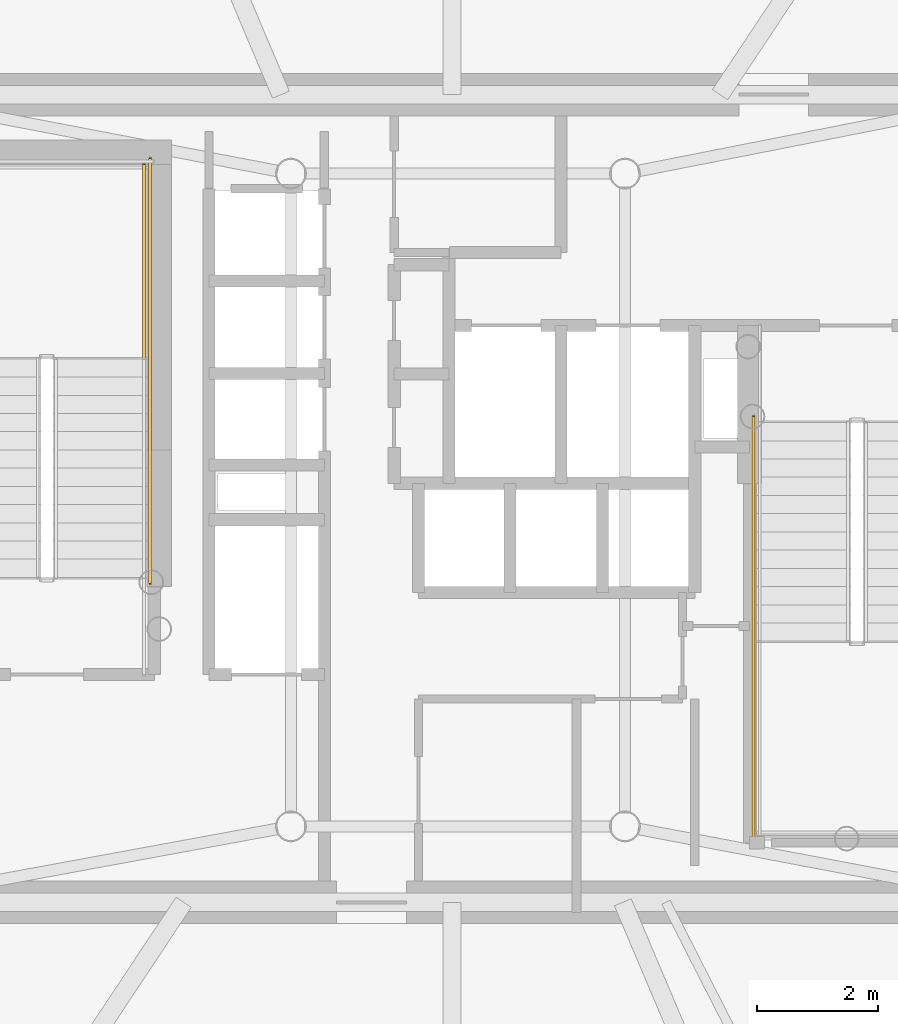
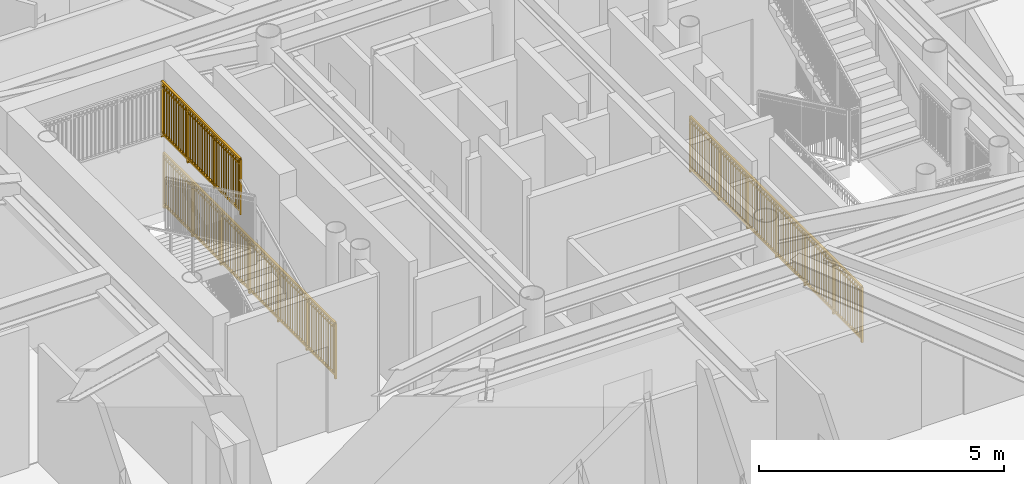
# One storey, part 16 of 20: 3 railings.
"""IFC4 building model written with IfcOpenShell, lengths in metres."""

from ifc_helpers import new_model, si_unit, direction, frame, origin, origin_2d, place, context, subcontext, project, spatial, rectangle, extrude, source, transform, mapped, material, type_object, element, save


model = new_model("IFC4")

# Units and contexts
model_context = context("Model", 3, precision=1e-05, world=origin(), true_north=direction((0.0, 1.0)))
body_context = subcontext(model_context, "Body", "Model", "MODEL_VIEW")
ifc_project = project(units=[si_unit("LENGTHUNIT", "METRE"), si_unit("AREAUNIT", "SQUARE_METRE"), si_unit("VOLUMEUNIT", "CUBIC_METRE"), si_unit("PLANEANGLEUNIT", "RADIAN"), si_unit("MASSUNIT", "GRAM", prefix="KILO")], contexts=[model_context])

# Site, building, storey
site_placement = place(None, origin())
site = spatial("IfcSite", under=ifc_project, at=site_placement, CompositionType="ELEMENT")
building_placement = place(site_placement, origin())
building = spatial("IfcBuilding", under=site, at=building_placement, Name="Linh Dai School and Residence Tower", CompositionType="ELEMENT")
storey_placement = place(building_placement, frame((0.0, 0.0, 221.550048828125)))
storey = spatial("IfcBuildingStorey", under=building, at=storey_placement, Name="L54", CompositionType="ELEMENT", Elevation=221.550048828125)

# Railings
ifc_material = material(Name="Structural Steel S355JR", Category="steel")
railing_type = type_object("IfcRailingType", Name="RL-ST-GUARD-1400", PredefinedType="GUARDRAIL", material=ifc_material)
shared_shape_1 = source(origin(), body_context, "Body", "SweptSolid", [
    extrude(rectangle(XDim=0.048095703125, YDim=0.048095703125, at=origin_2d()), frame((0.0, 0.0, 1.3759765625), z_axis=(0.0, 1.0, 0.0), x_axis=(-1.0, 0.0, 0.0)), (0.0, 0.0, 1.0), 7.0),
    extrude(rectangle(XDim=0.048095703125, YDim=0.048095703125, at=origin_2d()), frame((0.0, 0.0, 0.10009765625), z_axis=(0.0, 1.0, 0.0), x_axis=(-1.0, 0.0, 0.0)), (0.0, 0.0, 1.0), 7.0),
    extrude(rectangle(XDim=0.030029296875, YDim=0.030029296875, at=origin_2d()), frame((0.0, 0.0, 1.239990234375), z_axis=(0.0, 1.0, 0.0), x_axis=(-1.0, 0.0, 0.0)), (0.0, 0.0, 1.0), 7.0),
    extrude(rectangle(XDim=0.02001953125, YDim=0.02001953125, at=origin_2d()), frame((0.0, 0.09716796875, 0.10009765625)), (0.0, 0.0, 1.0), 1.251708984375),
    extrude(rectangle(XDim=0.02001953125, YDim=0.02001953125, at=origin_2d()), frame((0.0, 0.1943359375, 0.10009765625)), (0.0, 0.0, 1.0), 1.251708984375),
    extrude(rectangle(XDim=0.02001953125, YDim=0.02001953125, at=origin_2d()), frame((0.0, 0.291748046875, 0.10009765625)), (0.0, 0.0, 1.0), 1.251708984375),
    extrude(rectangle(XDim=0.02001953125, YDim=0.02001953125, at=origin_2d()), frame((0.0, 0.388916015625, 0.10009765625)), (0.0, 0.0, 1.0), 1.251708984375),
    extrude(rectangle(XDim=0.02001953125, YDim=0.02001953125, at=origin_2d()), frame((0.0, 0.486083984375, 0.10009765625)), (0.0, 0.0, 1.0), 1.251708984375),
    extrude(rectangle(XDim=0.02001953125, YDim=0.02001953125, at=origin_2d()), frame((0.0, 0.583251953125, 0.10009765625)), (0.0, 0.0, 1.0), 1.251708984375),
    extrude(rectangle(XDim=0.02001953125, YDim=0.02001953125, at=origin_2d()), frame((0.0, 0.6806640625, 0.10009765625)), (0.0, 0.0, 1.0), 1.251708984375),
    extrude(rectangle(XDim=0.02001953125, YDim=0.02001953125, at=origin_2d()), frame((0.0, 0.77783203125, 0.10009765625)), (0.0, 0.0, 1.0), 1.251708984375),
    extrude(rectangle(XDim=0.02001953125, YDim=0.02001953125, at=origin_2d()), frame((0.0, 0.875, 0.10009765625)), (0.0, 0.0, 1.0), 1.251708984375),
    extrude(rectangle(XDim=0.02001953125, YDim=0.02001953125, at=origin_2d()), frame((0.0, 0.97216796875, 0.10009765625)), (0.0, 0.0, 1.0), 1.251708984375),
    extrude(rectangle(XDim=0.02001953125, YDim=0.02001953125, at=origin_2d()), frame((0.0, 1.0693359375, 0.10009765625)), (0.0, 0.0, 1.0), 1.251708984375),
    extrude(rectangle(XDim=0.02001953125, YDim=0.02001953125, at=origin_2d()), frame((0.0, 1.263916015625, 0.10009765625)), (0.0, 0.0, 1.0), 1.251708984375),
    extrude(rectangle(XDim=0.02001953125, YDim=0.02001953125, at=origin_2d()), frame((0.0, 1.361083984375, 0.10009765625)), (0.0, 0.0, 1.0), 1.251708984375),
    extrude(rectangle(XDim=0.02001953125, YDim=0.02001953125, at=origin_2d()), frame((0.0, 1.458251953125, 0.10009765625)), (0.0, 0.0, 1.0), 1.251708984375),
    extrude(rectangle(XDim=0.02001953125, YDim=0.02001953125, at=origin_2d()), frame((0.0, 1.5556640625, 0.10009765625)), (0.0, 0.0, 1.0), 1.251708984375),
    extrude(rectangle(XDim=0.02001953125, YDim=0.02001953125, at=origin_2d()), frame((0.0, 1.65283203125, 0.10009765625)), (0.0, 0.0, 1.0), 1.251708984375),
    extrude(rectangle(XDim=0.02001953125, YDim=0.02001953125, at=origin_2d()), frame((0.0, 1.75, 0.10009765625)), (0.0, 0.0, 1.0), 1.251708984375),
    extrude(rectangle(XDim=0.02001953125, YDim=0.02001953125, at=origin_2d()), frame((0.0, 1.84716796875, 0.10009765625)), (0.0, 0.0, 1.0), 1.251708984375),
    extrude(rectangle(XDim=0.02001953125, YDim=0.02001953125, at=origin_2d()), frame((0.0, 1.9443359375, 0.10009765625)), (0.0, 0.0, 1.0), 1.251708984375),
    extrude(rectangle(XDim=0.02001953125, YDim=0.02001953125, at=origin_2d()), frame((0.0, 2.041748046875, 0.10009765625)), (0.0, 0.0, 1.0), 1.251708984375),
    extrude(rectangle(XDim=0.02001953125, YDim=0.02001953125, at=origin_2d()), frame((0.0, 2.138916015625, 0.10009765625)), (0.0, 0.0, 1.0), 1.251708984375),
    extrude(rectangle(XDim=0.02001953125, YDim=0.02001953125, at=origin_2d()), frame((0.0, 2.236083984375, 0.10009765625)), (0.0, 0.0, 1.0), 1.251708984375),
    extrude(rectangle(XDim=0.02001953125, YDim=0.02001953125, at=origin_2d()), frame((0.0, 2.4306640625, 0.10009765625)), (0.0, 0.0, 1.0), 1.251708984375),
    extrude(rectangle(XDim=0.02001953125, YDim=0.02001953125, at=origin_2d()), frame((0.0, 2.52783203125, 0.10009765625)), (0.0, 0.0, 1.0), 1.251708984375),
    extrude(rectangle(XDim=0.02001953125, YDim=0.02001953125, at=origin_2d()), frame((0.0, 2.625, 0.10009765625)), (0.0, 0.0, 1.0), 1.251708984375),
    extrude(rectangle(XDim=0.02001953125, YDim=0.02001953125, at=origin_2d()), frame((0.0, 2.72216796875, 0.10009765625)), (0.0, 0.0, 1.0), 1.251708984375),
    extrude(rectangle(XDim=0.02001953125, YDim=0.02001953125, at=origin_2d()), frame((0.0, 2.8193359375, 0.10009765625)), (0.0, 0.0, 1.0), 1.251708984375),
    extrude(rectangle(XDim=0.02001953125, YDim=0.02001953125, at=origin_2d()), frame((0.0, 2.916748046875, 0.10009765625)), (0.0, 0.0, 1.0), 1.251708984375),
    extrude(rectangle(XDim=0.02001953125, YDim=0.02001953125, at=origin_2d()), frame((0.0, 3.013916015625, 0.10009765625)), (0.0, 0.0, 1.0), 1.251708984375),
    extrude(rectangle(XDim=0.02001953125, YDim=0.02001953125, at=origin_2d()), frame((0.0, 3.111083984375, 0.10009765625)), (0.0, 0.0, 1.0), 1.251708984375),
    extrude(rectangle(XDim=0.02001953125, YDim=0.02001953125, at=origin_2d()), frame((0.0, 3.208251953125, 0.10009765625)), (0.0, 0.0, 1.0), 1.251708984375),
    extrude(rectangle(XDim=0.02001953125, YDim=0.02001953125, at=origin_2d()), frame((0.0, 3.3056640625, 0.10009765625)), (0.0, 0.0, 1.0), 1.251708984375),
    extrude(rectangle(XDim=0.02001953125, YDim=0.02001953125, at=origin_2d()), frame((0.0, 3.40283203125, 0.10009765625)), (0.0, 0.0, 1.0), 1.251708984375),
    extrude(rectangle(XDim=0.02001953125, YDim=0.02001953125, at=origin_2d()), frame((0.0, 3.59716796875, 0.10009765625)), (0.0, 0.0, 1.0), 1.251708984375),
    extrude(rectangle(XDim=0.02001953125, YDim=0.02001953125, at=origin_2d()), frame((0.0, 3.6943359375, 0.10009765625)), (0.0, 0.0, 1.0), 1.251708984375),
    extrude(rectangle(XDim=0.02001953125, YDim=0.02001953125, at=origin_2d()), frame((0.0, 3.791748046875, 0.10009765625)), (0.0, 0.0, 1.0), 1.251708984375),
    extrude(rectangle(XDim=0.02001953125, YDim=0.02001953125, at=origin_2d()), frame((0.0, 3.888916015625, 0.10009765625)), (0.0, 0.0, 1.0), 1.251708984375),
    extrude(rectangle(XDim=0.02001953125, YDim=0.02001953125, at=origin_2d()), frame((0.0, 3.986083984375, 0.10009765625)), (0.0, 0.0, 1.0), 1.251708984375),
    extrude(rectangle(XDim=0.02001953125, YDim=0.02001953125, at=origin_2d()), frame((0.0, 4.083251953125, 0.10009765625)), (0.0, 0.0, 1.0), 1.251708984375),
    extrude(rectangle(XDim=0.02001953125, YDim=0.02001953125, at=origin_2d()), frame((0.0, 4.1806640625, 0.10009765625)), (0.0, 0.0, 1.0), 1.251708984375),
    extrude(rectangle(XDim=0.02001953125, YDim=0.02001953125, at=origin_2d()), frame((0.0, 4.27783203125, 0.10009765625)), (0.0, 0.0, 1.0), 1.251708984375),
    extrude(rectangle(XDim=0.02001953125, YDim=0.02001953125, at=origin_2d()), frame((0.0, 4.375, 0.10009765625)), (0.0, 0.0, 1.0), 1.251708984375),
    extrude(rectangle(XDim=0.02001953125, YDim=0.02001953125, at=origin_2d()), frame((0.0, 4.47216796875, 0.10009765625)), (0.0, 0.0, 1.0), 1.251708984375),
    extrude(rectangle(XDim=0.02001953125, YDim=0.02001953125, at=origin_2d()), frame((0.0, 4.5693359375, 0.10009765625)), (0.0, 0.0, 1.0), 1.251708984375),
    extrude(rectangle(XDim=0.02001953125, YDim=0.02001953125, at=origin_2d()), frame((0.0, 4.763916015625, 0.10009765625)), (0.0, 0.0, 1.0), 1.251708984375),
    extrude(rectangle(XDim=0.02001953125, YDim=0.02001953125, at=origin_2d()), frame((0.0, 4.861083984375, 0.10009765625)), (0.0, 0.0, 1.0), 1.251708984375),
    extrude(rectangle(XDim=0.02001953125, YDim=0.02001953125, at=origin_2d()), frame((0.0, 4.958251953125, 0.10009765625)), (0.0, 0.0, 1.0), 1.251708984375),
    extrude(rectangle(XDim=0.02001953125, YDim=0.02001953125, at=origin_2d()), frame((0.0, 5.0556640625, 0.10009765625)), (0.0, 0.0, 1.0), 1.251708984375),
    extrude(rectangle(XDim=0.02001953125, YDim=0.02001953125, at=origin_2d()), frame((0.0, 5.15283203125, 0.10009765625)), (0.0, 0.0, 1.0), 1.251708984375),
    extrude(rectangle(XDim=0.02001953125, YDim=0.02001953125, at=origin_2d()), frame((0.0, 5.25, 0.10009765625)), (0.0, 0.0, 1.0), 1.251708984375),
    extrude(rectangle(XDim=0.02001953125, YDim=0.02001953125, at=origin_2d()), frame((0.0, 5.34716796875, 0.10009765625)), (0.0, 0.0, 1.0), 1.251708984375),
    extrude(rectangle(XDim=0.02001953125, YDim=0.02001953125, at=origin_2d()), frame((0.0, 5.4443359375, 0.10009765625)), (0.0, 0.0, 1.0), 1.251708984375),
    extrude(rectangle(XDim=0.02001953125, YDim=0.02001953125, at=origin_2d()), frame((0.0, 5.541748046875, 0.10009765625)), (0.0, 0.0, 1.0), 1.251708984375),
    extrude(rectangle(XDim=0.02001953125, YDim=0.02001953125, at=origin_2d()), frame((0.0, 5.638916015625, 0.10009765625)), (0.0, 0.0, 1.0), 1.251708984375),
    extrude(rectangle(XDim=0.02001953125, YDim=0.02001953125, at=origin_2d()), frame((0.0, 5.736083984375, 0.10009765625)), (0.0, 0.0, 1.0), 1.251708984375),
    extrude(rectangle(XDim=0.02001953125, YDim=0.02001953125, at=origin_2d()), frame((0.0, 5.9306640625, 0.10009765625)), (0.0, 0.0, 1.0), 1.251708984375),
    extrude(rectangle(XDim=0.02001953125, YDim=0.02001953125, at=origin_2d()), frame((0.0, 6.02783203125, 0.10009765625)), (0.0, 0.0, 1.0), 1.251708984375),
    extrude(rectangle(XDim=0.02001953125, YDim=0.02001953125, at=origin_2d()), frame((0.0, 6.125, 0.10009765625)), (0.0, 0.0, 1.0), 1.251708984375),
    extrude(rectangle(XDim=0.02001953125, YDim=0.02001953125, at=origin_2d()), frame((0.0, 6.22216796875, 0.10009765625)), (0.0, 0.0, 1.0), 1.251708984375),
    extrude(rectangle(XDim=0.02001953125, YDim=0.02001953125, at=origin_2d()), frame((0.0, 6.3193359375, 0.10009765625)), (0.0, 0.0, 1.0), 1.251708984375),
    extrude(rectangle(XDim=0.02001953125, YDim=0.02001953125, at=origin_2d()), frame((0.0, 6.416748046875, 0.10009765625)), (0.0, 0.0, 1.0), 1.251708984375),
    extrude(rectangle(XDim=0.02001953125, YDim=0.02001953125, at=origin_2d()), frame((0.0, 6.513916015625, 0.10009765625)), (0.0, 0.0, 1.0), 1.251708984375),
    extrude(rectangle(XDim=0.02001953125, YDim=0.02001953125, at=origin_2d()), frame((0.0, 6.611083984375, 0.10009765625)), (0.0, 0.0, 1.0), 1.251708984375),
    extrude(rectangle(XDim=0.02001953125, YDim=0.02001953125, at=origin_2d()), frame((0.0, 6.708251953125, 0.10009765625)), (0.0, 0.0, 1.0), 1.251708984375),
    extrude(rectangle(XDim=0.02001953125, YDim=0.02001953125, at=origin_2d()), frame((0.0, 6.8056640625, 0.10009765625)), (0.0, 0.0, 1.0), 1.251708984375),
    extrude(rectangle(XDim=0.02001953125, YDim=0.02001953125, at=origin_2d()), frame((0.0, 6.90283203125, 0.10009765625)), (0.0, 0.0, 1.0), 1.251708984375),
    extrude(rectangle(XDim=0.0419921875, YDim=0.0419921875, at=origin_2d()), origin(), (0.0, 0.0, 1.0), 1.3759765625),
    extrude(rectangle(XDim=0.0419921875, YDim=0.0419921875, at=origin_2d()), frame((0.0, 1.166748046875, 0.0)), (0.0, 0.0, 1.0), 1.3759765625),
    extrude(rectangle(XDim=0.0419921875, YDim=0.0419921875, at=origin_2d()), frame((0.0, 2.333251953125, 0.0)), (0.0, 0.0, 1.0), 1.3759765625),
    extrude(rectangle(XDim=0.0419921875, YDim=0.0419921875, at=origin_2d()), frame((0.0, 3.5, 0.0)), (0.0, 0.0, 1.0), 1.3759765625),
    extrude(rectangle(XDim=0.0419921875, YDim=0.0419921875, at=origin_2d()), frame((0.0, 4.666748046875, 0.0)), (0.0, 0.0, 1.0), 1.3759765625),
    extrude(rectangle(XDim=0.0419921875, YDim=0.0419921875, at=origin_2d()), frame((0.0, 5.833251953125, 0.0)), (0.0, 0.0, 1.0), 1.3759765625),
    extrude(rectangle(XDim=0.0419921875, YDim=0.0419921875, at=origin_2d()), frame((0.0, 7.0, 0.0)), (0.0, 0.0, 1.0), 1.3759765625),
])
railing_1_placement = place(storey_placement, frame((31.030029296875, 25.60009765625, 0.0)))
element("IfcRailing", 1, at=railing_1_placement, inside=storey, type_object=railing_type, Name="L54 ST1 stair guard 10", PredefinedType="GUARDRAIL", context=body_context, shape_type="MappedRepresentation", body=[
    mapped(shared_shape_1, transform((0.0, 0.0, 0.0), x_axis=(1.0, 0.0, 0.0), y_axis=(0.0, 1.0, 0.0), z_axis=(0.0, 0.0, 1.0), scale=1.0)),
])
shared_shape_2 = source(origin(), body_context, "Body", "SweptSolid", [
    extrude(rectangle(XDim=0.048095703125, YDim=0.048095703125, at=origin_2d()), frame((0.0, 0.0, 1.3759765625), z_axis=(0.0, 1.0, 0.0), x_axis=(-1.0, 0.0, 0.0)), (0.0, 0.0, 1.0), 3.199951171875),
    extrude(rectangle(XDim=0.048095703125, YDim=0.048095703125, at=origin_2d()), frame((0.0, 0.0, 0.10009765625), z_axis=(0.0, 1.0, 0.0), x_axis=(-1.0, 0.0, 0.0)), (0.0, 0.0, 1.0), 3.199951171875),
    extrude(rectangle(XDim=0.030029296875, YDim=0.030029296875, at=origin_2d()), frame((0.0, 0.0, 1.239990234375), z_axis=(0.0, 1.0, 0.0), x_axis=(-1.0, 0.0, 0.0)), (0.0, 0.0, 1.0), 3.199951171875),
    extrude(rectangle(XDim=0.02001953125, YDim=0.02001953125, at=origin_2d()), frame((0.0, 0.096923828125, 0.10009765625)), (0.0, 0.0, 1.0), 1.251708984375),
    extrude(rectangle(XDim=0.02001953125, YDim=0.02001953125, at=origin_2d()), frame((0.0, 0.19384765625, 0.10009765625)), (0.0, 0.0, 1.0), 1.251708984375),
    extrude(rectangle(XDim=0.02001953125, YDim=0.02001953125, at=origin_2d()), frame((0.0, 0.291015625, 0.10009765625)), (0.0, 0.0, 1.0), 1.251708984375),
    extrude(rectangle(XDim=0.02001953125, YDim=0.02001953125, at=origin_2d()), frame((0.0, 0.387939453125, 0.10009765625)), (0.0, 0.0, 1.0), 1.251708984375),
    extrude(rectangle(XDim=0.02001953125, YDim=0.02001953125, at=origin_2d()), frame((0.0, 0.48486328125, 0.10009765625)), (0.0, 0.0, 1.0), 1.251708984375),
    extrude(rectangle(XDim=0.02001953125, YDim=0.02001953125, at=origin_2d()), frame((0.0, 0.581787109375, 0.10009765625)), (0.0, 0.0, 1.0), 1.251708984375),
    extrude(rectangle(XDim=0.02001953125, YDim=0.02001953125, at=origin_2d()), frame((0.0, 0.6787109375, 0.10009765625)), (0.0, 0.0, 1.0), 1.251708984375),
    extrude(rectangle(XDim=0.02001953125, YDim=0.02001953125, at=origin_2d()), frame((0.0, 0.775634765625, 0.10009765625)), (0.0, 0.0, 1.0), 1.251708984375),
    extrude(rectangle(XDim=0.02001953125, YDim=0.02001953125, at=origin_2d()), frame((0.0, 0.872802734375, 0.10009765625)), (0.0, 0.0, 1.0), 1.251708984375),
    extrude(rectangle(XDim=0.02001953125, YDim=0.02001953125, at=origin_2d()), frame((0.0, 0.9697265625, 0.10009765625)), (0.0, 0.0, 1.0), 1.251708984375),
    extrude(rectangle(XDim=0.02001953125, YDim=0.02001953125, at=origin_2d()), frame((0.0, 1.16357421875, 0.10009765625)), (0.0, 0.0, 1.0), 1.251708984375),
    extrude(rectangle(XDim=0.02001953125, YDim=0.02001953125, at=origin_2d()), frame((0.0, 1.260498046875, 0.10009765625)), (0.0, 0.0, 1.0), 1.251708984375),
    extrude(rectangle(XDim=0.02001953125, YDim=0.02001953125, at=origin_2d()), frame((0.0, 1.357666015625, 0.10009765625)), (0.0, 0.0, 1.0), 1.251708984375),
    extrude(rectangle(XDim=0.02001953125, YDim=0.02001953125, at=origin_2d()), frame((0.0, 1.45458984375, 0.10009765625)), (0.0, 0.0, 1.0), 1.251708984375),
    extrude(rectangle(XDim=0.02001953125, YDim=0.02001953125, at=origin_2d()), frame((0.0, 1.551513671875, 0.10009765625)), (0.0, 0.0, 1.0), 1.251708984375),
    extrude(rectangle(XDim=0.02001953125, YDim=0.02001953125, at=origin_2d()), frame((0.0, 1.6484375, 0.10009765625)), (0.0, 0.0, 1.0), 1.251708984375),
    extrude(rectangle(XDim=0.02001953125, YDim=0.02001953125, at=origin_2d()), frame((0.0, 1.745361328125, 0.10009765625)), (0.0, 0.0, 1.0), 1.251708984375),
    extrude(rectangle(XDim=0.02001953125, YDim=0.02001953125, at=origin_2d()), frame((0.0, 1.84228515625, 0.10009765625)), (0.0, 0.0, 1.0), 1.251708984375),
    extrude(rectangle(XDim=0.02001953125, YDim=0.02001953125, at=origin_2d()), frame((0.0, 1.939453125, 0.10009765625)), (0.0, 0.0, 1.0), 1.251708984375),
    extrude(rectangle(XDim=0.02001953125, YDim=0.02001953125, at=origin_2d()), frame((0.0, 2.036376953125, 0.10009765625)), (0.0, 0.0, 1.0), 1.251708984375),
    extrude(rectangle(XDim=0.02001953125, YDim=0.02001953125, at=origin_2d()), frame((0.0, 2.230224609375, 0.10009765625)), (0.0, 0.0, 1.0), 1.251708984375),
    extrude(rectangle(XDim=0.02001953125, YDim=0.02001953125, at=origin_2d()), frame((0.0, 2.3271484375, 0.10009765625)), (0.0, 0.0, 1.0), 1.251708984375),
    extrude(rectangle(XDim=0.02001953125, YDim=0.02001953125, at=origin_2d()), frame((0.0, 2.42431640625, 0.10009765625)), (0.0, 0.0, 1.0), 1.251708984375),
    extrude(rectangle(XDim=0.02001953125, YDim=0.02001953125, at=origin_2d()), frame((0.0, 2.521240234375, 0.10009765625)), (0.0, 0.0, 1.0), 1.251708984375),
    extrude(rectangle(XDim=0.02001953125, YDim=0.02001953125, at=origin_2d()), frame((0.0, 2.6181640625, 0.10009765625)), (0.0, 0.0, 1.0), 1.251708984375),
    extrude(rectangle(XDim=0.02001953125, YDim=0.02001953125, at=origin_2d()), frame((0.0, 2.715087890625, 0.10009765625)), (0.0, 0.0, 1.0), 1.251708984375),
    extrude(rectangle(XDim=0.02001953125, YDim=0.02001953125, at=origin_2d()), frame((0.0, 2.81201171875, 0.10009765625)), (0.0, 0.0, 1.0), 1.251708984375),
    extrude(rectangle(XDim=0.02001953125, YDim=0.02001953125, at=origin_2d()), frame((0.0, 2.908935546875, 0.10009765625)), (0.0, 0.0, 1.0), 1.251708984375),
    extrude(rectangle(XDim=0.02001953125, YDim=0.02001953125, at=origin_2d()), frame((0.0, 3.006103515625, 0.10009765625)), (0.0, 0.0, 1.0), 1.251708984375),
    extrude(rectangle(XDim=0.02001953125, YDim=0.02001953125, at=origin_2d()), frame((0.0, 3.10302734375, 0.10009765625)), (0.0, 0.0, 1.0), 1.251708984375),
    extrude(rectangle(XDim=0.0419921875, YDim=0.0419921875, at=origin_2d()), origin(), (0.0, 0.0, 1.0), 1.3759765625),
    extrude(rectangle(XDim=0.0419921875, YDim=0.0419921875, at=origin_2d()), frame((0.0, 1.066650390625, 0.0)), (0.0, 0.0, 1.0), 1.3759765625),
    extrude(rectangle(XDim=0.0419921875, YDim=0.0419921875, at=origin_2d()), frame((0.0, 2.13330078125, 0.0)), (0.0, 0.0, 1.0), 1.3759765625),
    extrude(rectangle(XDim=0.0419921875, YDim=0.0419921875, at=origin_2d()), frame((0.0, 3.199951171875, 0.0)), (0.0, 0.0, 1.0), 1.3759765625),
])
railing_2_placement = place(storey_placement, frame((30.929931640625, 29.300048828125, 1.875)))
element("IfcRailing", 2, at=railing_2_placement, inside=storey, type_object=railing_type, Name="L54 ST1 stair guard 3", PredefinedType="GUARDRAIL", context=body_context, shape_type="MappedRepresentation", body=[
    mapped(shared_shape_2, transform((0.0, 0.0, 0.0), x_axis=(1.0, 0.0, 0.0), y_axis=(0.0, 1.0, 0.0), z_axis=(0.0, 0.0, 1.0), scale=1.0)),
])
shared_shape_3 = source(origin(), body_context, "Body", "SweptSolid", [
    extrude(rectangle(XDim=0.048095703125, YDim=0.048095703125, at=origin_2d()), frame((0.0, 0.0, 1.3759765625), z_axis=(0.0, -1.0, 0.0), x_axis=(1.0, 0.0, 0.0)), (0.0, 0.0, 1.0), 7.0),
    extrude(rectangle(XDim=0.048095703125, YDim=0.048095703125, at=origin_2d()), frame((0.0, 0.0, 0.10009765625), z_axis=(0.0, -1.0, 0.0), x_axis=(1.0, 0.0, 0.0)), (0.0, 0.0, 1.0), 7.0),
    extrude(rectangle(XDim=0.030029296875, YDim=0.030029296875, at=origin_2d()), frame((0.0, 0.0, 1.239990234375), z_axis=(0.0, -1.0, 0.0), x_axis=(1.0, 0.0, 0.0)), (0.0, 0.0, 1.0), 7.0),
    extrude(rectangle(XDim=0.02001953125, YDim=0.02001953125, at=origin_2d()), frame((0.0, -0.09716796875, 0.10009765625)), (0.0, 0.0, 1.0), 1.251708984375),
    extrude(rectangle(XDim=0.02001953125, YDim=0.02001953125, at=origin_2d()), frame((0.0, -0.1943359375, 0.10009765625)), (0.0, 0.0, 1.0), 1.251708984375),
    extrude(rectangle(XDim=0.02001953125, YDim=0.02001953125, at=origin_2d()), frame((0.0, -0.291748046875, 0.10009765625)), (0.0, 0.0, 1.0), 1.251708984375),
    extrude(rectangle(XDim=0.02001953125, YDim=0.02001953125, at=origin_2d()), frame((0.0, -0.388916015625, 0.10009765625)), (0.0, 0.0, 1.0), 1.251708984375),
    extrude(rectangle(XDim=0.02001953125, YDim=0.02001953125, at=origin_2d()), frame((0.0, -0.486083984375, 0.10009765625)), (0.0, 0.0, 1.0), 1.251708984375),
    extrude(rectangle(XDim=0.02001953125, YDim=0.02001953125, at=origin_2d()), frame((0.0, -0.583251953125, 0.10009765625)), (0.0, 0.0, 1.0), 1.251708984375),
    extrude(rectangle(XDim=0.02001953125, YDim=0.02001953125, at=origin_2d()), frame((0.0, -0.6806640625, 0.10009765625)), (0.0, 0.0, 1.0), 1.251708984375),
    extrude(rectangle(XDim=0.02001953125, YDim=0.02001953125, at=origin_2d()), frame((0.0, -0.77783203125, 0.10009765625)), (0.0, 0.0, 1.0), 1.251708984375),
    extrude(rectangle(XDim=0.02001953125, YDim=0.02001953125, at=origin_2d()), frame((0.0, -0.875, 0.10009765625)), (0.0, 0.0, 1.0), 1.251708984375),
    extrude(rectangle(XDim=0.02001953125, YDim=0.02001953125, at=origin_2d()), frame((0.0, -0.97216796875, 0.10009765625)), (0.0, 0.0, 1.0), 1.251708984375),
    extrude(rectangle(XDim=0.02001953125, YDim=0.02001953125, at=origin_2d()), frame((0.0, -1.0693359375, 0.10009765625)), (0.0, 0.0, 1.0), 1.251708984375),
    extrude(rectangle(XDim=0.02001953125, YDim=0.02001953125, at=origin_2d()), frame((0.0, -1.263916015625, 0.10009765625)), (0.0, 0.0, 1.0), 1.251708984375),
    extrude(rectangle(XDim=0.02001953125, YDim=0.02001953125, at=origin_2d()), frame((0.0, -1.361083984375, 0.10009765625)), (0.0, 0.0, 1.0), 1.251708984375),
    extrude(rectangle(XDim=0.02001953125, YDim=0.02001953125, at=origin_2d()), frame((0.0, -1.458251953125, 0.10009765625)), (0.0, 0.0, 1.0), 1.251708984375),
    extrude(rectangle(XDim=0.02001953125, YDim=0.02001953125, at=origin_2d()), frame((0.0, -1.5556640625, 0.10009765625)), (0.0, 0.0, 1.0), 1.251708984375),
    extrude(rectangle(XDim=0.02001953125, YDim=0.02001953125, at=origin_2d()), frame((0.0, -1.65283203125, 0.10009765625)), (0.0, 0.0, 1.0), 1.251708984375),
    extrude(rectangle(XDim=0.02001953125, YDim=0.02001953125, at=origin_2d()), frame((0.0, -1.75, 0.10009765625)), (0.0, 0.0, 1.0), 1.251708984375),
    extrude(rectangle(XDim=0.02001953125, YDim=0.02001953125, at=origin_2d()), frame((0.0, -1.84716796875, 0.10009765625)), (0.0, 0.0, 1.0), 1.251708984375),
    extrude(rectangle(XDim=0.02001953125, YDim=0.02001953125, at=origin_2d()), frame((0.0, -1.9443359375, 0.10009765625)), (0.0, 0.0, 1.0), 1.251708984375),
    extrude(rectangle(XDim=0.02001953125, YDim=0.02001953125, at=origin_2d()), frame((0.0, -2.041748046875, 0.10009765625)), (0.0, 0.0, 1.0), 1.251708984375),
    extrude(rectangle(XDim=0.02001953125, YDim=0.02001953125, at=origin_2d()), frame((0.0, -2.138916015625, 0.10009765625)), (0.0, 0.0, 1.0), 1.251708984375),
    extrude(rectangle(XDim=0.02001953125, YDim=0.02001953125, at=origin_2d()), frame((0.0, -2.236083984375, 0.10009765625)), (0.0, 0.0, 1.0), 1.251708984375),
    extrude(rectangle(XDim=0.02001953125, YDim=0.02001953125, at=origin_2d()), frame((0.0, -2.4306640625, 0.10009765625)), (0.0, 0.0, 1.0), 1.251708984375),
    extrude(rectangle(XDim=0.02001953125, YDim=0.02001953125, at=origin_2d()), frame((0.0, -2.52783203125, 0.10009765625)), (0.0, 0.0, 1.0), 1.251708984375),
    extrude(rectangle(XDim=0.02001953125, YDim=0.02001953125, at=origin_2d()), frame((0.0, -2.625, 0.10009765625)), (0.0, 0.0, 1.0), 1.251708984375),
    extrude(rectangle(XDim=0.02001953125, YDim=0.02001953125, at=origin_2d()), frame((0.0, -2.72216796875, 0.10009765625)), (0.0, 0.0, 1.0), 1.251708984375),
    extrude(rectangle(XDim=0.02001953125, YDim=0.02001953125, at=origin_2d()), frame((0.0, -2.8193359375, 0.10009765625)), (0.0, 0.0, 1.0), 1.251708984375),
    extrude(rectangle(XDim=0.02001953125, YDim=0.02001953125, at=origin_2d()), frame((0.0, -2.916748046875, 0.10009765625)), (0.0, 0.0, 1.0), 1.251708984375),
    extrude(rectangle(XDim=0.02001953125, YDim=0.02001953125, at=origin_2d()), frame((0.0, -3.013916015625, 0.10009765625)), (0.0, 0.0, 1.0), 1.251708984375),
    extrude(rectangle(XDim=0.02001953125, YDim=0.02001953125, at=origin_2d()), frame((0.0, -3.111083984375, 0.10009765625)), (0.0, 0.0, 1.0), 1.251708984375),
    extrude(rectangle(XDim=0.02001953125, YDim=0.02001953125, at=origin_2d()), frame((0.0, -3.208251953125, 0.10009765625)), (0.0, 0.0, 1.0), 1.251708984375),
    extrude(rectangle(XDim=0.02001953125, YDim=0.02001953125, at=origin_2d()), frame((0.0, -3.3056640625, 0.10009765625)), (0.0, 0.0, 1.0), 1.251708984375),
    extrude(rectangle(XDim=0.02001953125, YDim=0.02001953125, at=origin_2d()), frame((0.0, -3.40283203125, 0.10009765625)), (0.0, 0.0, 1.0), 1.251708984375),
    extrude(rectangle(XDim=0.02001953125, YDim=0.02001953125, at=origin_2d()), frame((0.0, -3.59716796875, 0.10009765625)), (0.0, 0.0, 1.0), 1.251708984375),
    extrude(rectangle(XDim=0.02001953125, YDim=0.02001953125, at=origin_2d()), frame((0.0, -3.6943359375, 0.10009765625)), (0.0, 0.0, 1.0), 1.251708984375),
    extrude(rectangle(XDim=0.02001953125, YDim=0.02001953125, at=origin_2d()), frame((0.0, -3.791748046875, 0.10009765625)), (0.0, 0.0, 1.0), 1.251708984375),
    extrude(rectangle(XDim=0.02001953125, YDim=0.02001953125, at=origin_2d()), frame((0.0, -3.888916015625, 0.10009765625)), (0.0, 0.0, 1.0), 1.251708984375),
    extrude(rectangle(XDim=0.02001953125, YDim=0.02001953125, at=origin_2d()), frame((0.0, -3.986083984375, 0.10009765625)), (0.0, 0.0, 1.0), 1.251708984375),
    extrude(rectangle(XDim=0.02001953125, YDim=0.02001953125, at=origin_2d()), frame((0.0, -4.083251953125, 0.10009765625)), (0.0, 0.0, 1.0), 1.251708984375),
    extrude(rectangle(XDim=0.02001953125, YDim=0.02001953125, at=origin_2d()), frame((0.0, -4.1806640625, 0.10009765625)), (0.0, 0.0, 1.0), 1.251708984375),
    extrude(rectangle(XDim=0.02001953125, YDim=0.02001953125, at=origin_2d()), frame((0.0, -4.27783203125, 0.10009765625)), (0.0, 0.0, 1.0), 1.251708984375),
    extrude(rectangle(XDim=0.02001953125, YDim=0.02001953125, at=origin_2d()), frame((0.0, -4.375, 0.10009765625)), (0.0, 0.0, 1.0), 1.251708984375),
    extrude(rectangle(XDim=0.02001953125, YDim=0.02001953125, at=origin_2d()), frame((0.0, -4.47216796875, 0.10009765625)), (0.0, 0.0, 1.0), 1.251708984375),
    extrude(rectangle(XDim=0.02001953125, YDim=0.02001953125, at=origin_2d()), frame((0.0, -4.5693359375, 0.10009765625)), (0.0, 0.0, 1.0), 1.251708984375),
    extrude(rectangle(XDim=0.02001953125, YDim=0.02001953125, at=origin_2d()), frame((0.0, -4.763916015625, 0.10009765625)), (0.0, 0.0, 1.0), 1.251708984375),
    extrude(rectangle(XDim=0.02001953125, YDim=0.02001953125, at=origin_2d()), frame((0.0, -4.861083984375, 0.10009765625)), (0.0, 0.0, 1.0), 1.251708984375),
    extrude(rectangle(XDim=0.02001953125, YDim=0.02001953125, at=origin_2d()), frame((0.0, -4.958251953125, 0.10009765625)), (0.0, 0.0, 1.0), 1.251708984375),
    extrude(rectangle(XDim=0.02001953125, YDim=0.02001953125, at=origin_2d()), frame((0.0, -5.0556640625, 0.10009765625)), (0.0, 0.0, 1.0), 1.251708984375),
    extrude(rectangle(XDim=0.02001953125, YDim=0.02001953125, at=origin_2d()), frame((0.0, -5.15283203125, 0.10009765625)), (0.0, 0.0, 1.0), 1.251708984375),
    extrude(rectangle(XDim=0.02001953125, YDim=0.02001953125, at=origin_2d()), frame((0.0, -5.25, 0.10009765625)), (0.0, 0.0, 1.0), 1.251708984375),
    extrude(rectangle(XDim=0.02001953125, YDim=0.02001953125, at=origin_2d()), frame((0.0, -5.34716796875, 0.10009765625)), (0.0, 0.0, 1.0), 1.251708984375),
    extrude(rectangle(XDim=0.02001953125, YDim=0.02001953125, at=origin_2d()), frame((0.0, -5.4443359375, 0.10009765625)), (0.0, 0.0, 1.0), 1.251708984375),
    extrude(rectangle(XDim=0.02001953125, YDim=0.02001953125, at=origin_2d()), frame((0.0, -5.541748046875, 0.10009765625)), (0.0, 0.0, 1.0), 1.251708984375),
    extrude(rectangle(XDim=0.02001953125, YDim=0.02001953125, at=origin_2d()), frame((0.0, -5.638916015625, 0.10009765625)), (0.0, 0.0, 1.0), 1.251708984375),
    extrude(rectangle(XDim=0.02001953125, YDim=0.02001953125, at=origin_2d()), frame((0.0, -5.736083984375, 0.10009765625)), (0.0, 0.0, 1.0), 1.251708984375),
    extrude(rectangle(XDim=0.02001953125, YDim=0.02001953125, at=origin_2d()), frame((0.0, -5.9306640625, 0.10009765625)), (0.0, 0.0, 1.0), 1.251708984375),
    extrude(rectangle(XDim=0.02001953125, YDim=0.02001953125, at=origin_2d()), frame((0.0, -6.02783203125, 0.10009765625)), (0.0, 0.0, 1.0), 1.251708984375),
    extrude(rectangle(XDim=0.02001953125, YDim=0.02001953125, at=origin_2d()), frame((0.0, -6.125, 0.10009765625)), (0.0, 0.0, 1.0), 1.251708984375),
    extrude(rectangle(XDim=0.02001953125, YDim=0.02001953125, at=origin_2d()), frame((0.0, -6.22216796875, 0.10009765625)), (0.0, 0.0, 1.0), 1.251708984375),
    extrude(rectangle(XDim=0.02001953125, YDim=0.02001953125, at=origin_2d()), frame((0.0, -6.3193359375, 0.10009765625)), (0.0, 0.0, 1.0), 1.251708984375),
    extrude(rectangle(XDim=0.02001953125, YDim=0.02001953125, at=origin_2d()), frame((0.0, -6.416748046875, 0.10009765625)), (0.0, 0.0, 1.0), 1.251708984375),
    extrude(rectangle(XDim=0.02001953125, YDim=0.02001953125, at=origin_2d()), frame((0.0, -6.513916015625, 0.10009765625)), (0.0, 0.0, 1.0), 1.251708984375),
    extrude(rectangle(XDim=0.02001953125, YDim=0.02001953125, at=origin_2d()), frame((0.0, -6.611083984375, 0.10009765625)), (0.0, 0.0, 1.0), 1.251708984375),
    extrude(rectangle(XDim=0.02001953125, YDim=0.02001953125, at=origin_2d()), frame((0.0, -6.708251953125, 0.10009765625)), (0.0, 0.0, 1.0), 1.251708984375),
    extrude(rectangle(XDim=0.02001953125, YDim=0.02001953125, at=origin_2d()), frame((0.0, -6.8056640625, 0.10009765625)), (0.0, 0.0, 1.0), 1.251708984375),
    extrude(rectangle(XDim=0.02001953125, YDim=0.02001953125, at=origin_2d()), frame((0.0, -6.90283203125, 0.10009765625)), (0.0, 0.0, 1.0), 1.251708984375),
    extrude(rectangle(XDim=0.0419921875, YDim=0.0419921875, at=origin_2d()), origin(), (0.0, 0.0, 1.0), 1.3759765625),
    extrude(rectangle(XDim=0.0419921875, YDim=0.0419921875, at=origin_2d()), frame((0.0, -1.166748046875, 0.0)), (0.0, 0.0, 1.0), 1.3759765625),
    extrude(rectangle(XDim=0.0419921875, YDim=0.0419921875, at=origin_2d()), frame((0.0, -2.333251953125, 0.0)), (0.0, 0.0, 1.0), 1.3759765625),
    extrude(rectangle(XDim=0.0419921875, YDim=0.0419921875, at=origin_2d()), frame((0.0, -3.5, 0.0)), (0.0, 0.0, 1.0), 1.3759765625),
    extrude(rectangle(XDim=0.0419921875, YDim=0.0419921875, at=origin_2d()), frame((0.0, -4.666748046875, 0.0)), (0.0, 0.0, 1.0), 1.3759765625),
    extrude(rectangle(XDim=0.0419921875, YDim=0.0419921875, at=origin_2d()), frame((0.0, -5.833251953125, 0.0)), (0.0, 0.0, 1.0), 1.3759765625),
    extrude(rectangle(XDim=0.0419921875, YDim=0.0419921875, at=origin_2d()), frame((0.0, -7.0, 0.0)), (0.0, 0.0, 1.0), 1.3759765625),
])
railing_3_placement = place(storey_placement, frame((40.969970703125, 28.35009765625, 0.0)))
element("IfcRailing", 3, at=railing_3_placement, inside=storey, type_object=railing_type, Name="L54 ST2 stair guard 10", PredefinedType="GUARDRAIL", context=body_context, shape_type="MappedRepresentation", body=[
    mapped(shared_shape_3, transform((0.0, 0.0, 0.0), x_axis=(1.0, 0.0, 0.0), y_axis=(0.0, 1.0, 0.0), z_axis=(0.0, 0.0, 1.0), scale=1.0)),
])

save(model, "model.ifc")
